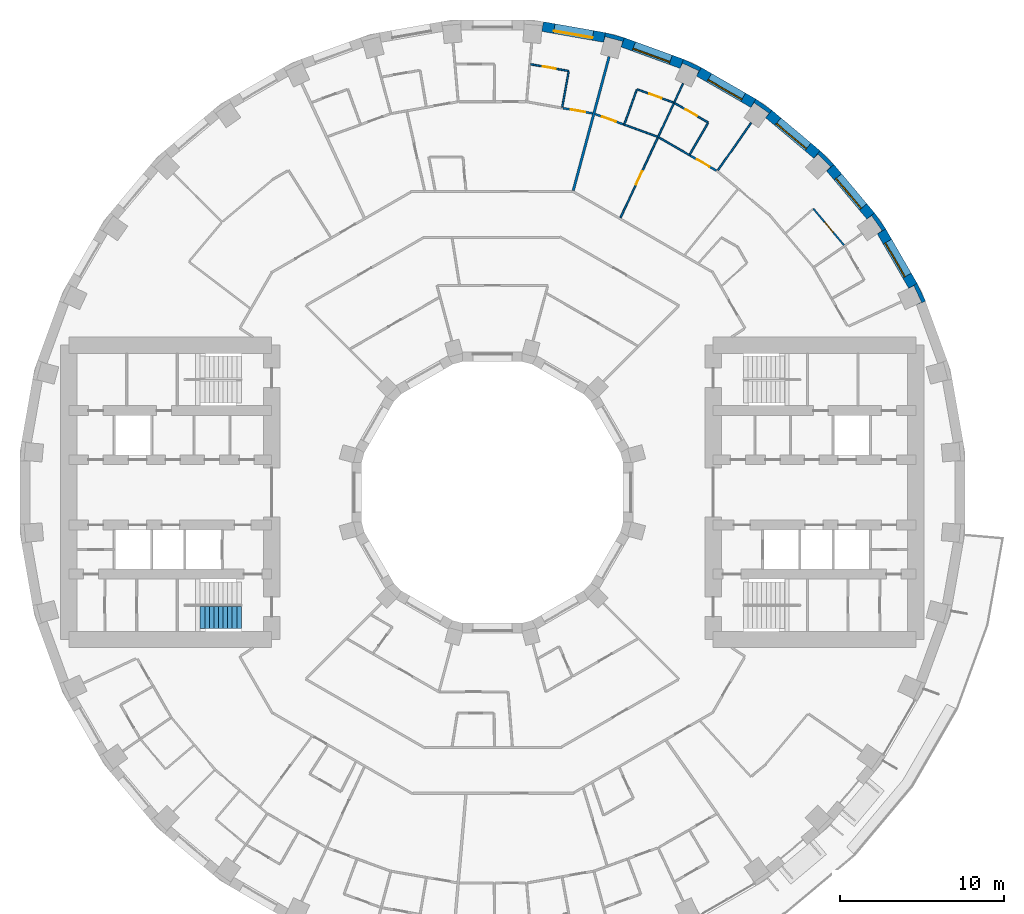
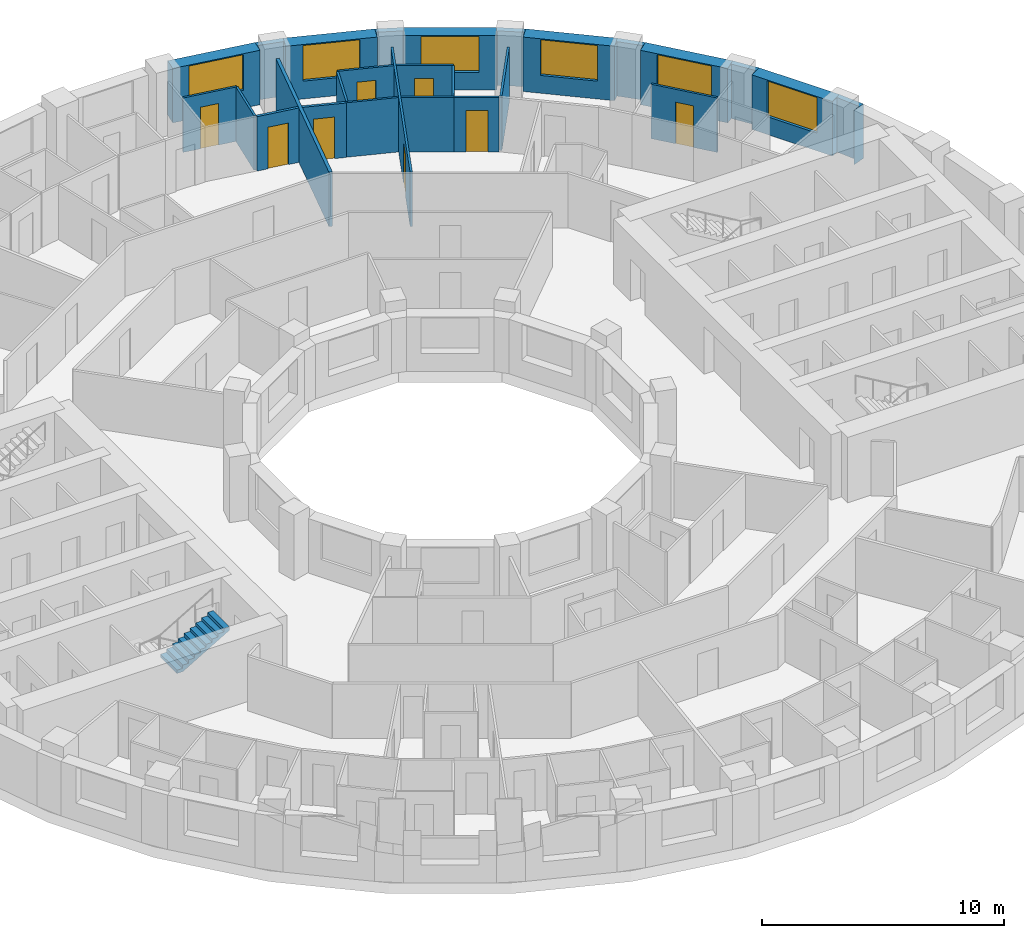
# One storey, part 13 of 15: 27 walls, 8 doors, 6 windows, 1 stair flight, 14 openings, 1 element without a shape of its own.
"""IFC4 building model written with IfcOpenShell, lengths in metres."""

from ifc_helpers import new_model, si_unit, direction, frame, frame_2d, origin, place, context, subcontext, project, spatial, polyline, rectangle, outline, extrude, material, layer, layer_set, type_object, element, fill, aggregate, save


model = new_model("IFC4")

# Units and contexts
model_context = context("Model", 3, precision=1e-05, world=origin(), true_north=direction((0.0, 1.0)))
body_context = subcontext(model_context, "Body", "Model", "MODEL_VIEW")
ifc_project = project(units=[si_unit("LENGTHUNIT", "METRE"), si_unit("AREAUNIT", "SQUARE_METRE"), si_unit("VOLUMEUNIT", "CUBIC_METRE"), si_unit("PLANEANGLEUNIT", "RADIAN"), si_unit("MASSUNIT", "GRAM", prefix="KILO")], contexts=[model_context])

# Site, building, storey
site_placement = place(None, origin())
site = spatial("IfcSite", under=ifc_project, at=site_placement, CompositionType="ELEMENT")
building_placement = place(site_placement, origin())
building = spatial("IfcBuilding", under=site, at=building_placement, Name="Saqina Gate Tower", CompositionType="ELEMENT")
storey_placement = place(building_placement, frame((0.0, 0.0, 36.199951171875)))
storey = spatial("IfcBuildingStorey", under=building, at=storey_placement, Name="L09", CompositionType="ELEMENT", Elevation=36.199951171875)

# Walls
ifc_material_1 = material(Name="Brick masonry (red)", Category="masonry")
wall_type_1 = type_object("IfcWallType", Name="BRICK PIER COPING RED", PredefinedType="SOLIDWALL", material=ifc_material_1)
wall_1_placement = place(storey_placement, origin())
element("IfcWall", 1, at=wall_1_placement, inside=storey, type_object=wall_type_1, Name="Pier cap L09 column 3", PredefinedType="SOLIDWALL", context=body_context, shape_type="SweptSolid", body=[
    extrude(outline(polyline([(25.980712890625, 12.779541015625), (25.4609375, 12.4794921875), (25.778564453125, 12.627685546875), (26.243408203125, 11.630615234375), (25.92578125, 11.482666015625), (26.48974609375, 11.687744140625), (25.980712890625, 12.779541015625)])), origin(), (0.0, 0.0, 1.0), 2.75),
])
wall_2_placement = place(storey_placement, origin())
element("IfcWall", 2, at=wall_2_placement, inside=storey, type_object=wall_type_1, Name="Pier cap L09 column 4", PredefinedType="SOLIDWALL", context=body_context, shape_type="SweptSolid", body=[
    extrude(outline(polyline([(24.0576171875, 16.110107421875), (23.36669921875, 17.096923828125), (22.9072265625, 16.711181640625), (23.194091796875, 16.912109375), (23.8251953125, 16.010986328125), (23.5380859375, 15.81005859375), (24.0576171875, 16.110107421875)])), origin(), (0.0, 0.0, 1.0), 2.75),
])
wall_3_placement = place(storey_placement, origin())
element("IfcWall", 3, at=wall_3_placement, inside=storey, type_object=wall_type_1, Name="Pier cap L09 column 5", PredefinedType="SOLIDWALL", context=body_context, shape_type="SweptSolid", body=[
    extrude(outline(polyline([(20.04296875, 20.894775390625), (19.6572265625, 20.43505859375), (19.905029296875, 20.682861328125), (20.682861328125, 19.905029296875), (20.43505859375, 19.6572265625), (20.894775390625, 20.04296875), (20.04296875, 20.894775390625)])), origin(), (0.0, 0.0, 1.0), 2.75),
])
wall_4_placement = place(storey_placement, origin())
element("IfcWall", 4, at=wall_4_placement, inside=storey, type_object=wall_type_1, Name="Pier cap L09 column 6", PredefinedType="SOLIDWALL", context=body_context, shape_type="SweptSolid", body=[
    extrude(outline(polyline([(17.096923828125, 23.36669921875), (16.110107421875, 24.0576171875), (15.81005859375, 23.5380859375), (16.010986328125, 23.8251953125), (16.912109375, 23.194091796875), (16.711181640625, 22.9072265625), (17.096923828125, 23.36669921875)])), origin(), (0.0, 0.0, 1.0), 2.75),
])
wall_5_placement = place(storey_placement, origin())
element("IfcWall", 5, at=wall_5_placement, inside=storey, type_object=wall_type_1, Name="Pier cap L09 column 7", PredefinedType="SOLIDWALL", context=body_context, shape_type="SweptSolid", body=[
    extrude(outline(polyline([(11.687744140625, 26.48974609375), (11.482666015625, 25.92578125), (11.630615234375, 26.243408203125), (12.627685546875, 25.778564453125), (12.4794921875, 25.4609375), (12.779541015625, 25.980712890625), (11.687744140625, 26.48974609375)])), origin(), (0.0, 0.0, 1.0), 2.75),
])
wall_6_placement = place(storey_placement, origin())
element("IfcWall", 6, at=wall_6_placement, inside=storey, type_object=wall_type_1, Name="Pier cap L09 column 8", PredefinedType="SOLIDWALL", context=body_context, shape_type="SweptSolid", body=[
    extrude(outline(polyline([(6.910400390625, 28.11669921875), (6.80615234375, 27.52587890625), (6.896728515625, 27.864501953125), (7.95947265625, 27.57958984375), (7.86865234375, 27.2412109375), (8.073974609375, 27.80517578125), (6.910400390625, 28.11669921875)])), origin(), (0.0, 0.0, 1.0), 2.75),
])

# Wall, opening, window
ifc_material_2 = material(Name="Brick masonry (red)", Category="masonry")
ifc_layer_1 = layer(ifc_material_2, 0.60009765625)
ifc_layer_set_1 = layer_set([ifc_layer_1], Name="FW-BRICK-RED")
wall_type_2 = type_object("IfcWallType", Name="FW-BRICK-RED", PredefinedType="SOLIDWALL", material=ifc_layer_set_1)
wall_7_placement = place(storey_placement, frame((25.720703125, 12.629638671875, 0.0), z_axis=(0.0, 0.0, 1.0), x_axis=(-0.499989888488, 0.86603124159, 0.0)))
wall_7 = element("IfcWall", 7, at=wall_7_placement, inside=storey, type_object=wall_type_2, Name="Facade wall L09 facet 3", PredefinedType="SOLIDWALL", context=body_context, shape_type="SweptSolid", body=[
    extrude(rectangle(XDim=3.845703125, YDim=0.60009765625, at=frame_2d((1.9228515625, 0.0))), origin(), (0.0, 0.0, 1.0), 2.75),
])
opening_1_placement = place(wall_7_placement, frame((0.722900390625, 0.0, 0.89990234375)))
opening_1 = element("IfcOpeningElement", 8, at=opening_1_placement, cuts=wall_7, Name="Opening G02-W01", PredefinedType="OPENING", context=body_context, shape_type="SweptSolid", body=[
    extrude(rectangle(XDim=2.39990234375, YDim=1.800048828125, at=frame_2d((1.199951171875, 0.89990234375))), frame((0.0, 0.31201171875, 0.0), z_axis=(0.0, -1.0, 0.0), x_axis=(1.0, 0.0, 0.0)), (0.0, 0.0, 1.0), 0.6240234375),
])
ifc_material_3 = material(Name="Aluminium glazing", Category="aluminium")
window_type = type_object("IfcWindowType", Name="WN-A", PartitioningType="SINGLE_PANEL", PredefinedType="WINDOW", material=ifc_material_3)
window_1_placement = place(opening_1_placement, origin())
window_1 = element("IfcWindow", 9, at=window_1_placement, inside=storey, type_object=window_type, Name="Window L09 facet 3", OverallHeight=1.800048828125, OverallWidth=2.39990234375, PartitioningType="SINGLE_PANEL", PredefinedType="WINDOW", context=body_context, shape_type="SweptSolid", body=[
    extrude(rectangle(XDim=2.39990234375, YDim=1.800048828125, at=frame_2d((1.199951171875, 0.89990234375))), frame((0.0, 0.179931640625, 0.0), z_axis=(0.0, -1.0, 0.0), x_axis=(1.0, 0.0, 0.0)), (0.0, 0.0, 1.0), 0.06005859375),
])
fill(opening_1, window_1)

wall_8_placement = place(storey_placement, frame((23.136962890625, 16.904052734375, 0.0), z_axis=(0.0, 0.0, 1.0), x_axis=(-0.642809392687, 0.766026164483, 0.0)))
wall_8 = element("IfcWall", 10, at=wall_8_placement, inside=storey, type_object=wall_type_2, Name="Facade wall L09 facet 4", PredefinedType="SOLIDWALL", context=body_context, shape_type="SweptSolid", body=[
    extrude(rectangle(XDim=3.845947265625, YDim=0.60009765625, at=frame_2d((1.9228515625, 0.0))), origin(), (0.0, 0.0, 1.0), 2.75),
])
opening_2_placement = place(wall_8_placement, frame((0.722900390625, 0.0, 0.89990234375)))
opening_2 = element("IfcOpeningElement", 11, at=opening_2_placement, cuts=wall_8, Name="Opening G02-W02", PredefinedType="OPENING", context=body_context, shape_type="SweptSolid", body=[
    extrude(rectangle(XDim=2.39990234375, YDim=1.800048828125, at=frame_2d((1.199951171875, 0.89990234375))), frame((0.0, 0.31201171875, 0.0), z_axis=(0.0, -1.0, 0.0), x_axis=(1.0, 0.0, 0.0)), (0.0, 0.0, 1.0), 0.6240234375),
])
window_2_placement = place(opening_2_placement, origin())
window_2 = element("IfcWindow", 12, at=window_2_placement, inside=storey, type_object=window_type, Name="Window L09 facet 4", OverallHeight=1.800048828125, OverallWidth=2.39990234375, PartitioningType="SINGLE_PANEL", PredefinedType="WINDOW", context=body_context, shape_type="SweptSolid", body=[
    extrude(rectangle(XDim=2.39990234375, YDim=1.800048828125, at=frame_2d((1.199951171875, 0.89990234375))), frame((0.0, 0.179931640625, 0.0), z_axis=(0.0, -1.0, 0.0), x_axis=(1.0, 0.0, 0.0)), (0.0, 0.0, 1.0), 0.06005859375),
])
fill(opening_2, window_2)

wall_9_placement = place(storey_placement, frame((19.85009765625, 20.664794921875, 0.0), z_axis=(0.0, 0.0, 1.0), x_axis=(-0.766026164483, 0.642809392687, 0.0)))
wall_9 = element("IfcWall", 13, at=wall_9_placement, inside=storey, type_object=wall_type_2, Name="Facade wall L09 facet 5", PredefinedType="SOLIDWALL", context=body_context, shape_type="SweptSolid", body=[
    extrude(rectangle(XDim=3.845947265625, YDim=0.60009765625, at=frame_2d((1.9228515625, 0.0))), origin(), (0.0, 0.0, 1.0), 2.75),
])
opening_3_placement = place(wall_9_placement, frame((0.722900390625, 0.0, 0.89990234375)))
opening_3 = element("IfcOpeningElement", 14, at=opening_3_placement, cuts=wall_9, Name="Opening G02-W03", PredefinedType="OPENING", context=body_context, shape_type="SweptSolid", body=[
    extrude(rectangle(XDim=2.39990234375, YDim=1.800048828125, at=frame_2d((1.199951171875, 0.89990234375))), frame((0.0, 0.31201171875, 0.0), z_axis=(0.0, -1.0, 0.0), x_axis=(1.0, 0.0, 0.0)), (0.0, 0.0, 1.0), 0.6240234375),
])
window_3_placement = place(opening_3_placement, origin())
window_3 = element("IfcWindow", 15, at=window_3_placement, inside=storey, type_object=window_type, Name="Window L09 facet 5", OverallHeight=1.800048828125, OverallWidth=2.39990234375, PartitioningType="SINGLE_PANEL", PredefinedType="WINDOW", context=body_context, shape_type="SweptSolid", body=[
    extrude(rectangle(XDim=2.39990234375, YDim=1.800048828125, at=frame_2d((1.199951171875, 0.89990234375))), frame((0.0, 0.179931640625, 0.0), z_axis=(0.0, -1.0, 0.0), x_axis=(1.0, 0.0, 0.0)), (0.0, 0.0, 1.0), 0.06005859375),
])
fill(opening_3, window_3)

wall_10_placement = place(storey_placement, frame((15.960205078125, 23.7978515625, 0.0), z_axis=(0.0, 0.0, 1.0), x_axis=(-0.86603124159, 0.499989888488, 0.0)))
wall_10 = element("IfcWall", 16, at=wall_10_placement, inside=storey, type_object=wall_type_2, Name="Facade wall L09 facet 6", PredefinedType="SOLIDWALL", context=body_context, shape_type="SweptSolid", body=[
    extrude(rectangle(XDim=3.845703125, YDim=0.60009765625, at=frame_2d((1.9228515625, 0.0))), origin(), (0.0, 0.0, 1.0), 2.75),
])
opening_4_placement = place(wall_10_placement, frame((0.722900390625, 0.0, 0.89990234375)))
opening_4 = element("IfcOpeningElement", 17, at=opening_4_placement, cuts=wall_10, Name="Opening G02-W04", PredefinedType="OPENING", context=body_context, shape_type="SweptSolid", body=[
    extrude(rectangle(XDim=2.39990234375, YDim=1.800048828125, at=frame_2d((1.199951171875, 0.89990234375))), frame((0.0, 0.31201171875, 0.0), z_axis=(0.0, -1.0, 0.0), x_axis=(1.0, 0.0, 0.0)), (0.0, 0.0, 1.0), 0.6240234375),
])
window_4_placement = place(opening_4_placement, origin())
window_4 = element("IfcWindow", 18, at=window_4_placement, inside=storey, type_object=window_type, Name="Window L09 facet 6", OverallHeight=1.800048828125, OverallWidth=2.39990234375, PartitioningType="SINGLE_PANEL", PredefinedType="WINDOW", context=body_context, shape_type="SweptSolid", body=[
    extrude(rectangle(XDim=2.39990234375, YDim=1.800048828125, at=frame_2d((1.199951171875, 0.89990234375))), frame((0.0, 0.179931640625, 0.0), z_axis=(0.0, -1.0, 0.0), x_axis=(1.0, 0.0, 0.0)), (0.0, 0.0, 1.0), 0.06005859375),
])
fill(opening_4, window_4)

wall_11_placement = place(storey_placement, frame((11.585205078125, 26.207763671875, 0.0), z_axis=(0.0, 0.0, 1.0), x_axis=(-0.939689588564, 0.342028474173, 0.0)))
wall_11 = element("IfcWall", 19, at=wall_11_placement, inside=storey, type_object=wall_type_2, Name="Facade wall L09 facet 7", PredefinedType="SOLIDWALL", context=body_context, shape_type="SweptSolid", body=[
    extrude(rectangle(XDim=3.845947265625, YDim=0.60009765625, at=frame_2d((1.9228515625, 0.0))), origin(), (0.0, 0.0, 1.0), 2.75),
])
opening_5_placement = place(wall_11_placement, frame((0.722900390625, 0.0, 0.89990234375)))
opening_5 = element("IfcOpeningElement", 20, at=opening_5_placement, cuts=wall_11, Name="Opening G02-W05", PredefinedType="OPENING", context=body_context, shape_type="SweptSolid", body=[
    extrude(rectangle(XDim=2.39990234375, YDim=1.800048828125, at=frame_2d((1.199951171875, 0.89990234375))), frame((0.0, 0.31201171875, 0.0), z_axis=(0.0, -1.0, 0.0), x_axis=(1.0, 0.0, 0.0)), (0.0, 0.0, 1.0), 0.6240234375),
])
window_5_placement = place(opening_5_placement, origin())
window_5 = element("IfcWindow", 21, at=window_5_placement, inside=storey, type_object=window_type, Name="Window L09 facet 7", OverallHeight=1.800048828125, OverallWidth=2.39990234375, PartitioningType="SINGLE_PANEL", PredefinedType="WINDOW", context=body_context, shape_type="SweptSolid", body=[
    extrude(rectangle(XDim=2.39990234375, YDim=1.800048828125, at=frame_2d((1.199951171875, 0.89990234375))), frame((0.0, 0.179931640625, 0.0), z_axis=(0.0, -1.0, 0.0), x_axis=(1.0, 0.0, 0.0)), (0.0, 0.0, 1.0), 0.06005859375),
])
fill(opening_5, window_5)

wall_12_placement = place(storey_placement, frame((6.858154296875, 27.8212890625, 0.0), z_axis=(0.0, 0.0, 1.0), x_axis=(-0.984800809218, 0.173687553279, 0.0)))
wall_12 = element("IfcWall", 22, at=wall_12_placement, inside=storey, type_object=wall_type_2, Name="Facade wall L09 facet 8", PredefinedType="SOLIDWALL", context=body_context, shape_type="SweptSolid", body=[
    extrude(rectangle(XDim=3.845703125, YDim=0.60009765625, at=frame_2d((1.9228515625, 0.0))), origin(), (0.0, 0.0, 1.0), 2.75),
])
opening_6_placement = place(wall_12_placement, frame((0.722900390625, 0.0, 0.89990234375)))
opening_6 = element("IfcOpeningElement", 23, at=opening_6_placement, cuts=wall_12, Name="Opening G02-W06", PredefinedType="OPENING", context=body_context, shape_type="SweptSolid", body=[
    extrude(rectangle(XDim=2.39990234375, YDim=1.800048828125, at=frame_2d((1.199951171875, 0.89990234375))), frame((0.0, 0.31201171875, 0.0), z_axis=(0.0, -1.0, 0.0), x_axis=(1.0, 0.0, 0.0)), (0.0, 0.0, 1.0), 0.6240234375),
])
window_6_placement = place(opening_6_placement, origin())
window_6 = element("IfcWindow", 24, at=window_6_placement, inside=storey, type_object=window_type, Name="Window L09 facet 8", OverallHeight=1.800048828125, OverallWidth=2.39990234375, PartitioningType="SINGLE_PANEL", PredefinedType="WINDOW", context=body_context, shape_type="SweptSolid", body=[
    extrude(rectangle(XDim=2.39990234375, YDim=1.800048828125, at=frame_2d((1.199951171875, 0.89990234375))), frame((0.0, 0.179931640625, 0.0), z_axis=(0.0, -1.0, 0.0), x_axis=(1.0, 0.0, 0.0)), (0.0, 0.0, 1.0), 0.06005859375),
])
fill(opening_6, window_6)

# Wall, opening, door
ifc_material_4 = material(Name="Gypsum board on steel studs, 100 mm", Category="steel")
ifc_layer_2 = layer(ifc_material_4, 0.10009765625)
ifc_layer_set_2 = layer_set([ifc_layer_2], Name="PARTITION 100")
wall_type_3 = type_object("IfcWallType", Name="PARTITION 100", PredefinedType="PARTITIONING", material=ifc_layer_set_2)
wall_13_placement = place(storey_placement, frame((19.62890625, 17.35107421875, 0.0), z_axis=(0.0, 0.0, 1.0), x_axis=(0.642701049916, -0.766117067057, 0.0)))
wall_13 = element("IfcWall", 25, at=wall_13_placement, inside=storey, type_object=wall_type_3, Name="PARTITION PW3-33", PredefinedType="PARTITIONING", context=body_context, shape_type="SweptSolid", body=[
    extrude(rectangle(XDim=2.915771484375, YDim=0.10009765625, at=frame_2d((1.4580078125, 0.0))), origin(), (0.0, 0.0, 1.0), 2.75),
])
opening_7_placement = place(wall_13_placement, frame((1.082763671875, 0.0, 0.0)))
opening_7 = element("IfcOpeningElement", 26, at=opening_7_placement, cuts=wall_13, Name="Opening G02-D04", PredefinedType="OPENING", context=body_context, shape_type="SweptSolid", body=[
    extrude(rectangle(XDim=0.800048828125, YDim=2.10009765625, at=frame_2d((0.39990234375, 1.050048828125))), frame((0.0, 0.06201171875, 0.0), z_axis=(0.0, -1.0, 0.0), x_axis=(1.0, 0.0, 0.0)), (0.0, 0.0, 1.0), 0.1240234375),
])
ifc_material_5 = material(Name="Timber door leaf, 800 mm", Category="wood")
door_type_1 = type_object("IfcDoorType", Name="DOOR 800 TIMBER", OperationType="SINGLE_SWING_LEFT", PredefinedType="DOOR", material=ifc_material_5)
door_1_placement = place(opening_7_placement, origin())
door_1 = element("IfcDoor", 27, at=door_1_placement, inside=storey, type_object=door_type_1, Name="DOOR G02-D04", OperationType="SINGLE_SWING_RIGHT", OverallHeight=2.10009765625, OverallWidth=0.800048828125, PredefinedType="DOOR", context=body_context, shape_type="SweptSolid", body=[
    extrude(rectangle(XDim=0.800048828125, YDim=2.10009765625, at=frame_2d((0.39990234375, 1.050048828125))), frame((0.0, 0.02490234375, 0.0), z_axis=(0.0, -1.0, 0.0), x_axis=(1.0, 0.0, 0.0)), (0.0, 0.0, 1.0), 0.050048828125),
])
fill(opening_7, door_1)

# Wall
wall_14_placement = place(storey_placement, frame((10.17822265625, 21.708984375, 0.0), z_axis=(0.0, 0.0, 1.0), x_axis=(0.865986508459, -0.50006736263, 0.0)))
element("IfcWall", 28, at=wall_14_placement, inside=storey, type_object=wall_type_3, Name="PARTITION PW3-47", PredefinedType="PARTITIONING", context=body_context, shape_type="SweptSolid", body=[
    extrude(rectangle(XDim=2.205810546875, YDim=0.10009765625, at=frame_2d((1.10302734375, 0.0))), origin(), (0.0, 0.0, 1.0), 2.75),
])

# Wall, opening, door
wall_15_placement = place(storey_placement, frame((11.154296875, 23.802001953125, 0.0), z_axis=(0.0, 0.0, 1.0), x_axis=(0.865910737143, -0.500198555877, 0.0)))
wall_15 = element("IfcWall", 29, at=wall_15_placement, inside=storey, type_object=wall_type_3, Name="PARTITION PW3-48", PredefinedType="PARTITIONING", context=body_context, shape_type="SweptSolid", body=[
    extrude(rectangle(XDim=2.3671875, YDim=0.10009765625, at=frame_2d((1.18359375, 0.0))), origin(), (0.0, 0.0, 1.0), 2.75),
])
opening_8_placement = place(wall_15_placement, frame((0.758544921875, 0.0, 0.0)))
opening_8 = element("IfcOpeningElement", 30, at=opening_8_placement, cuts=wall_15, Name="Opening G02-D11", PredefinedType="OPENING", context=body_context, shape_type="SweptSolid", body=[
    extrude(rectangle(XDim=0.800048828125, YDim=2.10009765625, at=frame_2d((0.39990234375, 1.050048828125))), frame((0.0, 0.06201171875, 0.0), z_axis=(0.0, -1.0, 0.0), x_axis=(1.0, 0.0, 0.0)), (0.0, 0.0, 1.0), 0.1240234375),
])
door_2_placement = place(opening_8_placement, origin())
door_2 = element("IfcDoor", 31, at=door_2_placement, inside=storey, type_object=door_type_1, Name="DOOR G02-D11", OperationType="SINGLE_SWING_LEFT", OverallHeight=2.10009765625, OverallWidth=0.800048828125, PredefinedType="DOOR", context=body_context, shape_type="SweptSolid", body=[
    extrude(rectangle(XDim=0.800048828125, YDim=2.10009765625, at=frame_2d((0.39990234375, 1.050048828125))), frame((0.0, 0.02490234375, 0.0), z_axis=(0.0, -1.0, 0.0), x_axis=(1.0, 0.0, 0.0)), (0.0, 0.0, 1.0), 0.050048828125),
])
fill(opening_8, door_2)

# Wall
wall_16_placement = place(storey_placement, frame((8.014892578125, 22.505126953125, 0.0), z_axis=(0.0, 0.0, 1.0), x_axis=(0.939744943051, -0.341876354856, 0.0)))
element("IfcWall", 32, at=wall_16_placement, inside=storey, type_object=wall_type_3, Name="PARTITION PW3-51", PredefinedType="PARTITIONING", context=body_context, shape_type="SweptSolid", body=[
    extrude(rectangle(XDim=2.205810546875, YDim=0.10009765625, at=frame_2d((1.10302734375, 0.0))), origin(), (0.0, 0.0, 1.0), 2.75),
])

# Wall, opening, door
wall_17_placement = place(storey_placement, frame((8.839111328125, 24.653076171875, 0.0), z_axis=(0.0, 0.0, 1.0), x_axis=(0.939787401385, -0.341759623416, 0.0)))
wall_17 = element("IfcWall", 33, at=wall_17_placement, inside=storey, type_object=wall_type_3, Name="PARTITION PW3-52", PredefinedType="PARTITIONING", context=body_context, shape_type="SweptSolid", body=[
    extrude(rectangle(XDim=2.367431640625, YDim=0.10009765625, at=frame_2d((1.18359375, 0.0))), origin(), (0.0, 0.0, 1.0), 2.75),
])
opening_9_placement = place(wall_17_placement, frame((0.80859375, 0.0, 0.0)))
opening_9 = element("IfcOpeningElement", 34, at=opening_9_placement, cuts=wall_17, Name="Opening G02-D13", PredefinedType="OPENING", context=body_context, shape_type="SweptSolid", body=[
    extrude(rectangle(XDim=0.800048828125, YDim=2.10009765625, at=frame_2d((0.39990234375, 1.050048828125))), frame((0.0, 0.06201171875, 0.0), z_axis=(0.0, -1.0, 0.0), x_axis=(1.0, 0.0, 0.0)), (0.0, 0.0, 1.0), 0.1240234375),
])
door_3_placement = place(opening_9_placement, origin())
door_3 = element("IfcDoor", 35, at=door_3_placement, inside=storey, type_object=door_type_1, Name="DOOR G02-D13", OperationType="SINGLE_SWING_RIGHT", OverallHeight=2.10009765625, OverallWidth=0.800048828125, PredefinedType="DOOR", context=body_context, shape_type="SweptSolid", body=[
    extrude(rectangle(XDim=0.800048828125, YDim=2.10009765625, at=frame_2d((0.39990234375, 1.050048828125))), frame((0.0, 0.02490234375, 0.0), z_axis=(0.0, -1.0, 0.0), x_axis=(1.0, 0.0, 0.0)), (0.0, 0.0, 1.0), 0.050048828125),
])
fill(opening_9, door_3)

wall_18_placement = place(storey_placement, frame((2.34033203125, 26.181396484375, 0.0), z_axis=(0.0, 0.0, 1.0), x_axis=(0.984791861756, -0.173738277359, 0.0)))
wall_18 = element("IfcWall", 36, at=wall_18_placement, inside=storey, type_object=wall_type_3, Name="PARTITION PW3-56", PredefinedType="PARTITIONING", context=body_context, shape_type="SweptSolid", body=[
    extrude(rectangle(XDim=2.36767578125, YDim=0.10009765625, at=frame_2d((1.183837890625, 0.0))), origin(), (0.0, 0.0, 1.0), 2.75),
])
opening_10_placement = place(wall_18_placement, frame((0.7587890625, 0.0, 0.0)))
opening_10 = element("IfcOpeningElement", 37, at=opening_10_placement, cuts=wall_18, Name="Opening G02-D16", PredefinedType="OPENING", context=body_context, shape_type="SweptSolid", body=[
    extrude(rectangle(XDim=0.800048828125, YDim=2.10009765625, at=frame_2d((0.39990234375, 1.050048828125))), frame((0.0, 0.06201171875, 0.0), z_axis=(0.0, -1.0, 0.0), x_axis=(1.0, 0.0, 0.0)), (0.0, 0.0, 1.0), 0.1240234375),
])
door_4_placement = place(opening_10_placement, origin())
door_4 = element("IfcDoor", 38, at=door_4_placement, inside=storey, type_object=door_type_1, Name="DOOR G02-D16", OperationType="SINGLE_SWING_LEFT", OverallHeight=2.10009765625, OverallWidth=0.800048828125, PredefinedType="DOOR", context=body_context, shape_type="SweptSolid", body=[
    extrude(rectangle(XDim=0.800048828125, YDim=2.10009765625, at=frame_2d((0.39990234375, 1.050048828125))), frame((0.0, 0.02490234375, 0.0), z_axis=(0.0, -1.0, 0.0), x_axis=(1.0, 0.0, 0.0)), (0.0, 0.0, 1.0), 0.050048828125),
])
fill(opening_10, door_4)

# Walls
wall_19_placement = place(storey_placement, frame((13.790771484375, 19.6953125, 0.0), z_axis=(0.0, 0.0, 1.0), x_axis=(0.573554740156, 0.8191672357, 0.0)))
element("IfcWall", 39, at=wall_19_placement, inside=storey, type_object=wall_type_3, Name="PARTITION PW3-98", PredefinedType="PARTITIONING", context=body_context, shape_type="SweptSolid", body=[
    extrude(rectangle(XDim=3.546630859375, YDim=0.10009765625, at=frame_2d((1.7734375, 0.0))), origin(), (0.0, 0.0, 1.0), 2.75),
])
wall_20_placement = place(storey_placement, frame((12.076416015625, 20.68505859375, 0.0), z_axis=(0.0, 0.0, 1.0), x_axis=(0.503871025524, 0.863778900898, 0.0)))
element("IfcWall", 40, at=wall_20_placement, inside=storey, type_object=wall_type_3, Name="PARTITION PW3-100", PredefinedType="PARTITIONING", context=body_context, shape_type="SweptSolid", body=[
    extrude(rectangle(XDim=2.187744140625, YDim=0.10009765625, at=frame_2d((1.09375, 0.0))), origin(), (0.0, 0.0, 1.0), 2.75),
])

# Wall, opening, door
wall_21_placement = place(storey_placement, frame((7.834716796875, 16.795654296875, 0.0), z_axis=(0.0, 0.0, 1.0), x_axis=(0.422351185038, 0.906432279046, 0.0)))
wall_21 = element("IfcWall", 41, at=wall_21_placement, inside=storey, type_object=wall_type_3, Name="PARTITION PW3-103", PredefinedType="PARTITIONING", context=body_context, shape_type="SweptSolid", body=[
    extrude(rectangle(XDim=9.056884765625, YDim=0.10009765625, at=frame_2d((4.5283203125, 0.0))), origin(), (0.0, 0.0, 1.0), 2.75),
])
opening_11_placement = place(wall_21_placement, frame((2.24267578125, 0.0, 0.0)))
opening_11 = element("IfcOpeningElement", 42, at=opening_11_placement, cuts=wall_21, Name="Opening G02-D12", PredefinedType="OPENING", context=body_context, shape_type="SweptSolid", body=[
    extrude(rectangle(XDim=0.89990234375, YDim=2.10009765625, at=frame_2d((0.449951171875, 1.050048828125))), frame((0.0, 0.06201171875, 0.0), z_axis=(0.0, -1.0, 0.0), x_axis=(1.0, 0.0, 0.0)), (0.0, 0.0, 1.0), 0.1240234375),
])
ifc_material_6 = material(Name="Timber door leaf, 900 mm", Category="wood")
door_type_2 = type_object("IfcDoorType", Name="DOOR 900 TIMBER", OperationType="SINGLE_SWING_LEFT", PredefinedType="DOOR", material=ifc_material_6)
door_5_placement = place(opening_11_placement, frame((0.89990234375, 0.0, 0.0), z_axis=(0.0, 0.0, 1.0), x_axis=(-1.0, 0.0, 0.0)))
door_5 = element("IfcDoor", 43, at=door_5_placement, inside=storey, type_object=door_type_2, Name="DOOR G02-D12", OperationType="SINGLE_SWING_RIGHT", OverallHeight=2.10009765625, OverallWidth=0.89990234375, PredefinedType="DOOR", context=body_context, shape_type="SweptSolid", body=[
    extrude(rectangle(XDim=0.89990234375, YDim=2.10009765625, at=frame_2d((0.449951171875, 1.050048828125))), frame((0.0, 0.02490234375, 0.0), z_axis=(0.0, -1.0, 0.0), x_axis=(1.0, 0.0, 0.0)), (0.0, 0.0, 1.0), 0.050048828125),
])
fill(opening_11, door_5)

# Walls
wall_22_placement = place(storey_placement, frame((8.0830078125, 22.546875, 0.0), z_axis=(0.0, 0.0, 1.0), x_axis=(0.337806451735, 0.9412155976, 0.0)))
element("IfcWall", 44, at=wall_22_placement, inside=storey, type_object=wall_type_3, Name="PARTITION PW3-106", PredefinedType="PARTITIONING", context=body_context, shape_type="SweptSolid", body=[
    extrude(rectangle(XDim=2.187744140625, YDim=0.10009765625, at=frame_2d((1.09375, 0.0))), origin(), (0.0, 0.0, 1.0), 2.75),
])
wall_23_placement = place(storey_placement, frame((4.27099609375, 23.55615234375, 0.0), z_axis=(0.0, 0.0, 1.0), x_axis=(0.178240802931, 0.983986898373, 0.0)))
element("IfcWall", 45, at=wall_23_placement, inside=storey, type_object=wall_type_3, Name="PARTITION PW3-109", PredefinedType="PARTITIONING", context=body_context, shape_type="SweptSolid", body=[
    extrude(rectangle(XDim=2.19970703125, YDim=0.10009765625, at=frame_2d((1.099853515625, 0.0))), origin(), (0.0, 0.0, 1.0), 2.75),
])

# Wall, opening, door
ifc_material_7 = material(Name="Gypsum board on steel studs, 125 mm, fire rated", Category="steel")
ifc_layer_3 = layer(ifc_material_7, 0.125)
ifc_layer_set_3 = layer_set([ifc_layer_3], Name="PARTITION EI 30 125")
wall_type_4 = type_object("IfcWallType", Name="PARTITION EI 30 125", PredefinedType="PARTITIONING", material=ifc_layer_set_3)
wall_24_placement = place(storey_placement, frame((12.08837890625, 20.60595703125, 0.0), z_axis=(0.0, 0.0, 1.0), x_axis=(0.866104801807, -0.499862453367, 0.0)))
wall_24 = element("IfcWall", 46, at=wall_24_placement, inside=storey, type_object=wall_type_4, Name="PARTITION PW1-21", PredefinedType="PARTITIONING", context=body_context, shape_type="SweptSolid", body=[
    extrude(rectangle(XDim=1.86181640625, YDim=0.125, at=frame_2d((0.930908203125, 0.0))), origin(), (0.0, 0.0, 1.0), 2.75),
])
opening_12_placement = place(wall_24_placement, frame((0.4873046875, 0.0, 0.0)))
opening_12 = element("IfcOpeningElement", 47, at=opening_12_placement, cuts=wall_24, Name="Opening G02-D08", PredefinedType="OPENING", context=body_context, shape_type="SweptSolid", body=[
    extrude(rectangle(XDim=0.89990234375, YDim=2.10009765625, at=frame_2d((0.449951171875, 1.050048828125))), frame((0.0, 0.074462890625, 0.0), z_axis=(0.0, -1.0, 0.0), x_axis=(1.0, 0.0, 0.0)), (0.0, 0.0, 1.0), 0.14892578125),
])
ifc_material_8 = material(Name="Fire door leaf EI 30, 900 mm")
door_type_3 = type_object("IfcDoorType", Name="DOOR 900 EI 30", OperationType="SINGLE_SWING_LEFT", PredefinedType="DOOR", material=ifc_material_8)
door_6_placement = place(opening_12_placement, frame((0.89990234375, 0.0, 0.0), z_axis=(0.0, 0.0, 1.0), x_axis=(-1.0, 0.0, 0.0)))
door_6 = element("IfcDoor", 48, at=door_6_placement, inside=storey, type_object=door_type_3, Name="DOOR G02-D08", OperationType="SINGLE_SWING_LEFT", OverallHeight=2.10009765625, OverallWidth=0.89990234375, PredefinedType="DOOR", context=body_context, shape_type="SweptSolid", body=[
    extrude(rectangle(XDim=0.89990234375, YDim=2.10009765625, at=frame_2d((0.449951171875, 1.050048828125))), frame((0.0, 0.02490234375, 0.0), z_axis=(0.0, -1.0, 0.0), x_axis=(1.0, 0.0, 0.0)), (0.0, 0.0, 1.0), 0.050048828125),
])
fill(opening_12, door_6)

wall_25_placement = place(storey_placement, frame((6.277587890625, 23.138427734375, 0.0), z_axis=(0.0, 0.0, 1.0), x_axis=(0.939538772486, -0.34244254262, 0.0)))
wall_25 = element("IfcWall", 49, at=wall_25_placement, inside=storey, type_object=wall_type_4, Name="PARTITION PW1-23", PredefinedType="PARTITIONING", context=body_context, shape_type="SweptSolid", body=[
    extrude(rectangle(XDim=1.849365234375, YDim=0.125, at=frame_2d((0.9248046875, 0.0))), origin(), (0.0, 0.0, 1.0), 2.75),
])
opening_13_placement = place(wall_25_placement, frame((0.462158203125, 0.0, 0.0)))
opening_13 = element("IfcOpeningElement", 50, at=opening_13_placement, cuts=wall_25, Name="Opening G02-D14", PredefinedType="OPENING", context=body_context, shape_type="SweptSolid", body=[
    extrude(rectangle(XDim=0.89990234375, YDim=2.10009765625, at=frame_2d((0.449951171875, 1.050048828125))), frame((0.0, 0.074462890625, 0.0), z_axis=(0.0, -1.0, 0.0), x_axis=(1.0, 0.0, 0.0)), (0.0, 0.0, 1.0), 0.14892578125),
])
door_7_placement = place(opening_13_placement, frame((0.89990234375, 0.0, 0.0), z_axis=(0.0, 0.0, 1.0), x_axis=(-1.0, 0.0, 0.0)))
door_7 = element("IfcDoor", 51, at=door_7_placement, inside=storey, type_object=door_type_3, Name="DOOR G02-D14", OperationType="SINGLE_SWING_RIGHT", OverallHeight=2.10009765625, OverallWidth=0.89990234375, PredefinedType="DOOR", context=body_context, shape_type="SweptSolid", body=[
    extrude(rectangle(XDim=0.89990234375, YDim=2.10009765625, at=frame_2d((0.449951171875, 1.050048828125))), frame((0.0, 0.02490234375, 0.0), z_axis=(0.0, -1.0, 0.0), x_axis=(1.0, 0.0, 0.0)), (0.0, 0.0, 1.0), 0.050048828125),
])
fill(opening_13, door_7)

wall_26_placement = place(storey_placement, frame((4.311279296875, 23.498291015625, 0.0), z_axis=(0.0, 0.0, 1.0), x_axis=(0.984802153769, -0.173679929558, 0.0)))
wall_26 = element("IfcWall", 52, at=wall_26_placement, inside=storey, type_object=wall_type_4, Name="PARTITION PW1-25", PredefinedType="PARTITIONING", context=body_context, shape_type="SweptSolid", body=[
    extrude(rectangle(XDim=1.849853515625, YDim=0.125, at=frame_2d((0.9248046875, 0.0))), origin(), (0.0, 0.0, 1.0), 2.75),
])
opening_14_placement = place(wall_26_placement, frame((0.487548828125, 0.0, 0.0)))
opening_14 = element("IfcOpeningElement", 53, at=opening_14_placement, cuts=wall_26, Name="Opening G02-D15", PredefinedType="OPENING", context=body_context, shape_type="SweptSolid", body=[
    extrude(rectangle(XDim=0.89990234375, YDim=2.10009765625, at=frame_2d((0.449951171875, 1.050048828125))), frame((0.0, 0.074462890625, 0.0), z_axis=(0.0, -1.0, 0.0), x_axis=(1.0, 0.0, 0.0)), (0.0, 0.0, 1.0), 0.14892578125),
])
door_8_placement = place(opening_14_placement, frame((0.89990234375, 0.0, 0.0), z_axis=(0.0, 0.0, 1.0), x_axis=(-1.0, 0.0, 0.0)))
door_8 = element("IfcDoor", 54, at=door_8_placement, inside=storey, type_object=door_type_3, Name="DOOR G02-D15", OperationType="SINGLE_SWING_LEFT", OverallHeight=2.10009765625, OverallWidth=0.89990234375, PredefinedType="DOOR", context=body_context, shape_type="SweptSolid", body=[
    extrude(rectangle(XDim=0.89990234375, YDim=2.10009765625, at=frame_2d((0.449951171875, 1.050048828125))), frame((0.0, 0.02490234375, 0.0), z_axis=(0.0, -1.0, 0.0), x_axis=(1.0, 0.0, 0.0)), (0.0, 0.0, 1.0), 0.050048828125),
])
fill(opening_14, door_8)

# Wall
ifc_material_9 = material(Name="Gypsum board on steel studs, 150 mm, fire rated", Category="steel")
ifc_layer_4 = layer(ifc_material_9, 0.14990234375)
ifc_layer_set_4 = layer_set([ifc_layer_4], Name="PARTITION EI 60 150")
wall_type_5 = type_object("IfcWallType", Name="PARTITION EI 60 150", PredefinedType="PARTITIONING", material=ifc_layer_set_4)
wall_27_placement = place(storey_placement, frame((4.946533203125, 18.460205078125, 0.0), z_axis=(0.0, 0.0, 1.0), x_axis=(0.258782623342, 0.965935584734, 0.0)))
element("IfcWall", 55, at=wall_27_placement, inside=storey, type_object=wall_type_5, Name="PARTITION PW2-03", PredefinedType="PARTITIONING", context=body_context, shape_type="SweptSolid", body=[
    extrude(rectangle(XDim=8.478515625, YDim=0.14990234375, at=frame_2d((4.2392578125, 0.0))), origin(), (0.0, 0.0, 1.0), 2.75),
])

# Stair, stair flight
ifc_material_10 = material(Name="Concrete C40/50", Category="concrete")
stair_type = type_object("IfcStairType", Name="EXIT STAIR", PredefinedType="HALF_TURN_STAIR", material=ifc_material_10)
stair_placement = place(storey_placement, origin())
stair = element("IfcStair", 56, at=stair_placement, inside=storey, type_object=stair_type, Name="EXIT STAIR 4", PredefinedType="HALF_TURN_STAIR")
ifc_material_11 = material(Name="Concrete C40/50", Category="concrete")
stair_flight_type = type_object("IfcStairFlightType", Name="EXIT STAIR FLIGHT", PredefinedType="STRAIGHT", material=ifc_material_11)
stair_flight_placement = place(storey_placement, frame((-17.8701171875, -7.658447265625, 1.650146484375), z_axis=(0.0, 0.0, 1.0), x_axis=(1.0, 0.0, 0.0)))
stair_flight = element("IfcStairFlight", 57, at=stair_flight_placement, type_object=stair_flight_type, Name="EXIT STAIR 4 FLIGHT 2", NumberOfRisers=10, NumberOfTreads=9, PredefinedType="STRAIGHT", RiserHeight=0.165, TreadLength=0.28, context=body_context, shape_type="SweptSolid", body=[
    extrude(outline(polyline([(0.0, 0.0), (0.0, 0.1650390625), (0.280029296875, 0.1650390625), (0.280029296875, 0.330078125), (0.56005859375, 0.330078125), (0.56005859375, 0.4951171875), (0.840087890625, 0.4951171875), (0.840087890625, 0.659912109375), (1.1201171875, 0.659912109375), (1.1201171875, 0.824951171875), (1.39990234375, 0.824951171875), (1.39990234375, 0.989990234375), (1.679931640625, 0.989990234375), (1.679931640625, 1.155029296875), (1.9599609375, 1.155029296875), (1.9599609375, 1.320068359375), (2.239990234375, 1.320068359375), (2.239990234375, 1.485107421875), (2.52001953125, 1.485107421875), (2.52001953125, 1.64990234375), (2.52001953125, 1.31103515625), (0.295166015625, 0.0), (0.0, 0.0)])), frame((0.0, 0.675048828125, 0.0), z_axis=(0.0, -1.0, 0.0), x_axis=(1.0, 0.0, 0.0)), (0.0, 0.0, 1.0), 1.35009765625),
])
aggregate(stair, [stair_flight])

save(model, "model.ifc")
